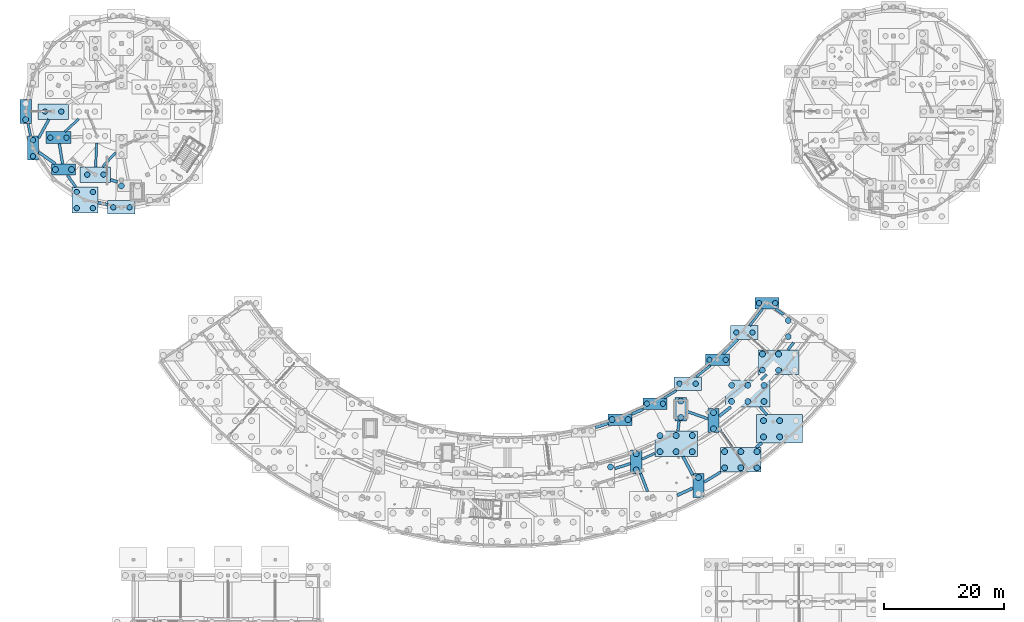
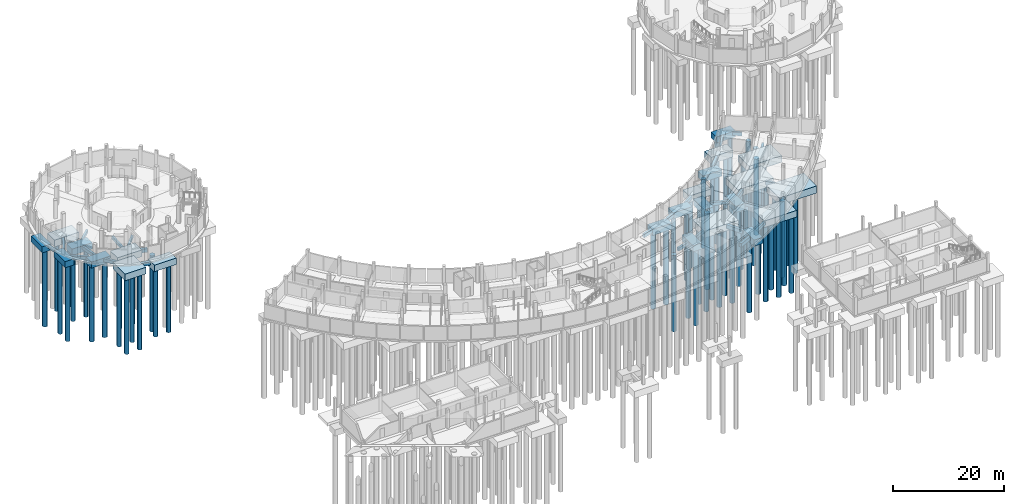
# One storey, part 4 of 58: 66 piles, 54 footings.
"""IFC4 building model written with IfcOpenShell, lengths in metres."""

from ifc_helpers import new_model, si_unit, direction, frame, origin, origin_2d, place, context, subcontext, project, spatial, rectangle, circle, extrude, material, material_profile, profile_set, type_object, element, save


model = new_model("IFC4")

# Units and contexts
model_context = context("Model", 3, precision=1e-05, world=origin(), true_north=direction((0.0, 1.0)))
body_context = subcontext(model_context, "Body", "Model", "MODEL_VIEW")
ifc_project = project(units=[si_unit("LENGTHUNIT", "METRE"), si_unit("AREAUNIT", "SQUARE_METRE"), si_unit("VOLUMEUNIT", "CUBIC_METRE"), si_unit("PLANEANGLEUNIT", "RADIAN"), si_unit("MASSUNIT", "GRAM", prefix="KILO")], contexts=[model_context])

# Site, building, storey
site_placement = place(None, origin())
site = spatial("IfcSite", under=ifc_project, at=site_placement, CompositionType="ELEMENT")
building_placement = place(site_placement, origin())
building = spatial("IfcBuilding", under=site, at=building_placement, Name="Caldaven Crescent School", CompositionType="ELEMENT")
storey_placement = place(building_placement, frame((0.0, 0.0, -4.080078125)))
storey = spatial("IfcBuildingStorey", under=building, at=storey_placement, Name="B1", CompositionType="ELEMENT", Elevation=-4.080078125)

# Footings
ifc_material_1 = material(Name="Concrete C30/37", Category="concrete")
ifc_material_profile_1 = material_profile(ifc_material_1, rectangle(XDim=0.449951171875, YDim=0.699951171875, at=origin_2d()), Name="FB 450x700")
ifc_profile_set_1 = profile_set([ifc_material_profile_1], Name="Concrete C30/37")
footing_type_1 = type_object("IfcFootingType", Name="FTG-FB1", PredefinedType="FOOTING_BEAM", material=ifc_profile_set_1)
footing_1_placement = place(storey_placement, frame((11.3818359375, 97.199951171875, -0.64990234375), z_axis=(-0.483477839389, -0.875356600946, 0.0), x_axis=(0.875356600946, -0.483477839389, 0.0)))
element("IfcFooting", 1, at=footing_1_placement, inside=storey, type_object=footing_type_1, Name="FB-070", PredefinedType="FOOTING_BEAM", context=body_context, shape_type="SweptSolid", body=[
    extrude(rectangle(XDim=0.449951171875, YDim=0.699951171875, at=origin_2d()), origin(), (0.0, 0.0, 1.0), 3.544921875),
])
footing_2_placement = place(storey_placement, frame((13.12646484375, 93.137451171875, -0.64990234375), z_axis=(0.156689000054, -0.987647992588, 0.0), x_axis=(0.987647992588, 0.156689000054, 0.0)))
element("IfcFooting", 2, at=footing_2_placement, inside=storey, type_object=footing_type_1, Name="FB-073", PredefinedType="FOOTING_BEAM", context=body_context, shape_type="SweptSolid", body=[
    extrude(rectangle(XDim=0.449951171875, YDim=0.699951171875, at=origin_2d()), origin(), (0.0, 0.0, 1.0), 3.4169921875),
])
footing_3_placement = place(storey_placement, frame((15.85546875, 85.892822265625, -0.64990234375), z_axis=(-0.573285118671, 0.819355949945, 0.0), x_axis=(-0.819355949945, -0.573285118671, 0.0)))
element("IfcFooting", 3, at=footing_3_placement, inside=storey, type_object=footing_type_1, Name="FB-079", PredefinedType="FOOTING_BEAM", context=body_context, shape_type="SweptSolid", body=[
    extrude(rectangle(XDim=0.449951171875, YDim=0.699951171875, at=origin_2d()), origin(), (0.0, 0.0, 1.0), 2.404052734375),
])
footing_4_placement = place(storey_placement, frame((105.915283203125, 38.85498046875, -0.64990234375), z_axis=(0.953656049612, 0.300898885074, 0.0), x_axis=(-0.300898885074, 0.953656049612, 0.0)))
element("IfcFooting", 4, at=footing_4_placement, inside=storey, type_object=footing_type_1, Name="FB-172", PredefinedType="FOOTING_BEAM", context=body_context, shape_type="SweptSolid", body=[
    extrude(rectangle(XDim=0.449951171875, YDim=0.699951171875, at=origin_2d()), origin(), (0.0, 0.0, 1.0), 2.764404296875),
])
footing_5_placement = place(storey_placement, frame((111.41015625, 35.0146484375, -0.64990234375), z_axis=(-0.35838286224, 0.933574701914, 0.0), x_axis=(-0.933574701914, -0.35838286224, 0.0)))
element("IfcFooting", 5, at=footing_5_placement, inside=storey, type_object=footing_type_1, Name="FB-178", PredefinedType="FOOTING_BEAM", context=body_context, shape_type="SweptSolid", body=[
    extrude(rectangle(XDim=0.449951171875, YDim=0.699951171875, at=origin_2d()), origin(), (0.0, 0.0, 1.0), 3.183349609375),
])
footing_6_placement = place(storey_placement, frame((116.459716796875, 45.173095703125, -0.64990234375), z_axis=(0.134305449479, 0.990939981149, 0.0), x_axis=(-0.990939981149, 0.134305449479, 0.0)))
element("IfcFooting", 6, at=footing_6_placement, inside=storey, type_object=footing_type_1, Name="FB-181", PredefinedType="FOOTING_BEAM", context=body_context, shape_type="SweptSolid", body=[
    extrude(rectangle(XDim=0.449951171875, YDim=0.699951171875, at=origin_2d()), origin(), (0.0, 0.0, 1.0), 1.605224609375),
])
footing_7_placement = place(storey_placement, frame((121.464599609375, 47.18310546875, -0.64990234375), z_axis=(-0.943903657384, 0.330220964776, 0.0), x_axis=(-0.330220964776, -0.943903657384, 0.0)))
element("IfcFooting", 7, at=footing_7_placement, inside=storey, type_object=footing_type_1, Name="FB-184", PredefinedType="FOOTING_BEAM", context=body_context, shape_type="SweptSolid", body=[
    extrude(rectangle(XDim=0.449951171875, YDim=0.699951171875, at=origin_2d()), origin(), (0.0, 0.0, 1.0), 3.7802734375),
])
footing_8_placement = place(storey_placement, frame((123.629150390625, 38.28857421875, -0.64990234375), z_axis=(-0.852649702215, -0.522483000022, 0.0), x_axis=(0.522483000022, -0.852649702215, 0.0)))
element("IfcFooting", 8, at=footing_8_placement, inside=storey, type_object=footing_type_1, Name="FB-187", PredefinedType="FOOTING_BEAM", context=body_context, shape_type="SweptSolid", body=[
    extrude(rectangle(XDim=0.449951171875, YDim=0.699951171875, at=origin_2d()), origin(), (0.0, 0.0, 1.0), 3.2587890625),
])
footing_9_placement = place(storey_placement, frame((131.351318359375, 47.853271484375, -0.64990234375), z_axis=(-0.669102656662, 0.743169990546, 0.0), x_axis=(-0.743169990546, -0.669102656662, 0.0)))
element("IfcFooting", 9, at=footing_9_placement, inside=storey, type_object=footing_type_1, Name="FB-190", PredefinedType="FOOTING_BEAM", context=body_context, shape_type="SweptSolid", body=[
    extrude(rectangle(XDim=0.449951171875, YDim=0.699951171875, at=origin_2d()), origin(), (0.0, 0.0, 1.0), 1.76025390625),
])
footing_10_placement = place(storey_placement, frame((134.8623046875, 58.6865234375, -0.64990234375), z_axis=(0.610422102891, 0.792076294496, 0.0), x_axis=(-0.792076294496, 0.610422102891, 0.0)))
element("IfcFooting", 10, at=footing_10_placement, inside=storey, type_object=footing_type_1, Name="FB-193", PredefinedType="FOOTING_BEAM", context=body_context, shape_type="SweptSolid", body=[
    extrude(rectangle(XDim=0.449951171875, YDim=0.699951171875, at=origin_2d()), origin(), (0.0, 0.0, 1.0), 1.525390625),
])
footing_11_placement = place(storey_placement, frame((132.758544921875, 65.54248046875, -0.64990234375), z_axis=(0.826659501148, -0.562702469482, 0.0), x_axis=(0.562702469482, 0.826659501148, 0.0)))
element("IfcFooting", 11, at=footing_11_placement, inside=storey, type_object=footing_type_1, Name="FB-196", PredefinedType="FOOTING_BEAM", context=body_context, shape_type="SweptSolid", body=[
    extrude(rectangle(XDim=0.449951171875, YDim=0.699951171875, at=origin_2d()), origin(), (0.0, 0.0, 1.0), 1.684326171875),
])
ifc_material_profile_2 = material_profile(ifc_material_1, rectangle(XDim=0.5, YDim=0.800048828125, at=origin_2d()), Name="FB 500x800")
ifc_profile_set_2 = profile_set([ifc_material_profile_2], Name="Concrete C30/37")
footing_type_2 = type_object("IfcFootingType", Name="FTG-FB2", PredefinedType="FOOTING_BEAM", material=ifc_profile_set_2)
footing_12_placement = place(storey_placement, frame((9.66796875, 91.71240234375, -0.699951171875), z_axis=(0.819383644267, -0.573245535096, 0.0), x_axis=(0.573245535096, 0.819383644267, 0.0)))
element("IfcFooting", 12, at=footing_12_placement, inside=storey, type_object=footing_type_2, Name="FB-074", PredefinedType="FOOTING_BEAM", context=body_context, shape_type="SweptSolid", body=[
    extrude(rectangle(XDim=0.5, YDim=0.800048828125, at=origin_2d()), origin(), (0.0, 0.0, 1.0), 3.401123046875),
])
footing_13_placement = place(storey_placement, frame((21.6875, 87.123779296875, -0.699951171875), z_axis=(0.949326847566, -0.314290528795, 0.0), x_axis=(0.314290528795, 0.949326847566, 0.0)))
element("IfcFooting", 13, at=footing_13_placement, inside=storey, type_object=footing_type_2, Name="FB-077", PredefinedType="FOOTING_BEAM", context=body_context, shape_type="SweptSolid", body=[
    extrude(rectangle(XDim=0.5, YDim=0.800048828125, at=origin_2d()), origin(), (0.0, 0.0, 1.0), 1.210205078125),
])
footing_14_placement = place(storey_placement, frame((19.552001953125, 83.285400390625, -0.699951171875), z_axis=(0.980775784306, -0.195138056048, 0.0), x_axis=(0.195138056048, 0.980775784306, 0.0)))
element("IfcFooting", 14, at=footing_14_placement, inside=storey, type_object=footing_type_2, Name="FB-080", PredefinedType="FOOTING_BEAM", context=body_context, shape_type="SweptSolid", body=[
    extrude(rectangle(XDim=0.5, YDim=0.800048828125, at=origin_2d()), origin(), (0.0, 0.0, 1.0), 1.68017578125),
])
footing_15_placement = place(storey_placement, frame((102.688720703125, 45.739013671875, -0.699951171875), z_axis=(0.953664455926, 0.300872241164, 0.0), x_axis=(-0.300872241164, 0.953664455926, 0.0)))
element("IfcFooting", 15, at=footing_15_placement, inside=storey, type_object=footing_type_2, Name="FB-170", PredefinedType="FOOTING_BEAM", context=body_context, shape_type="SweptSolid", body=[
    extrude(rectangle(XDim=0.5, YDim=0.800048828125, at=origin_2d()), origin(), (0.0, 0.0, 1.0), 2.20947265625),
])
footing_16_placement = place(storey_placement, frame((108.7958984375, 47.94580078125, -0.699951171875), z_axis=(0.910054014872, 0.414489674197, 0.0), x_axis=(-0.414489674197, 0.910054014872, 0.0)))
element("IfcFooting", 16, at=footing_16_placement, inside=storey, type_object=footing_type_2, Name="FB-176", PredefinedType="FOOTING_BEAM", context=body_context, shape_type="SweptSolid", body=[
    extrude(rectangle(XDim=0.5, YDim=0.800048828125, at=origin_2d()), origin(), (0.0, 0.0, 1.0), 2.008544921875),
])
footing_17_placement = place(storey_placement, frame((116.3505859375, 34.38671875, -0.699951171875), z_axis=(0.910041370331, 0.414517435444, 0.0), x_axis=(-0.414517435444, 0.910041370331, 0.0)))
element("IfcFooting", 17, at=footing_17_placement, inside=storey, type_object=footing_type_2, Name="FB-179", PredefinedType="FOOTING_BEAM", context=body_context, shape_type="SweptSolid", body=[
    extrude(rectangle(XDim=0.5, YDim=0.800048828125, at=origin_2d()), origin(), (0.0, 0.0, 1.0), 2.857177734375),
])
footing_18_placement = place(storey_placement, frame((118.95068359375, 37.790283203125, -0.699951171875), z_axis=(-0.46947728703, 0.8829445492, 0.0), x_axis=(-0.8829445492, -0.46947728703, 0.0)))
element("IfcFooting", 18, at=footing_18_placement, inside=storey, type_object=footing_type_2, Name="FB-182", PredefinedType="FOOTING_BEAM", context=body_context, shape_type="SweptSolid", body=[
    extrude(rectangle(XDim=0.5, YDim=0.800048828125, at=origin_2d()), origin(), (0.0, 0.0, 1.0), 3.491455078125),
])
footing_19_placement = place(storey_placement, frame((123.364501953125, 47.606689453125, -0.699951171875), z_axis=(0.782620536607, 0.622499072835, 0.0), x_axis=(-0.622499072835, 0.782620536607, 0.0)))
element("IfcFooting", 19, at=footing_19_placement, inside=storey, type_object=footing_type_2, Name="FB-185", PredefinedType="FOOTING_BEAM", context=body_context, shape_type="SweptSolid", body=[
    extrude(rectangle(XDim=0.5, YDim=0.800048828125, at=origin_2d()), origin(), (0.0, 0.0, 1.0), 2.49755859375),
])
footing_20_placement = place(storey_placement, frame((124.029541015625, 57.97216796875, -0.699951171875), z_axis=(0.700904911711, 0.713254726406, 0.0), x_axis=(-0.713254726406, 0.700904911711, 0.0)))
element("IfcFooting", 20, at=footing_20_placement, inside=storey, type_object=footing_type_2, Name="FB-188", PredefinedType="FOOTING_BEAM", context=body_context, shape_type="SweptSolid", body=[
    extrude(rectangle(XDim=0.5, YDim=0.800048828125, at=origin_2d()), origin(), (0.0, 0.0, 1.0), 3.45947265625),
])
footing_21_placement = place(storey_placement, frame((130.51318359375, 43.1533203125, -0.699951171875), z_axis=(-0.782649464343, -0.622462702468, 0.0), x_axis=(0.622462702468, -0.782649464343, 0.0)))
element("IfcFooting", 21, at=footing_21_placement, inside=storey, type_object=footing_type_2, Name="FB-191", PredefinedType="FOOTING_BEAM", context=body_context, shape_type="SweptSolid", body=[
    extrude(rectangle(XDim=0.5, YDim=0.800048828125, at=origin_2d()), origin(), (0.0, 0.0, 1.0), 1.228515625),
])
ifc_material_profile_3 = material_profile(ifc_material_1, rectangle(XDim=0.39990234375, YDim=0.64990234375, at=origin_2d()), Name="FB 400x650")
ifc_profile_set_3 = profile_set([ifc_material_profile_3], Name="Concrete C30/37")
footing_type_3 = type_object("IfcFootingType", Name="FTG-FB3", PredefinedType="FOOTING_BEAM", material=ifc_profile_set_3)
footing_22_placement = place(storey_placement, frame((16.37109375, 97.27490234375, -0.625), z_axis=(-0.735245539754, -0.677800852959, 0.0), x_axis=(0.677800852959, -0.735245539754, 0.0)))
element("IfcFooting", 22, at=footing_22_placement, inside=storey, type_object=footing_type_3, Name="FB-069", PredefinedType="FOOTING_BEAM", context=body_context, shape_type="SweptSolid", body=[
    extrude(rectangle(XDim=0.39990234375, YDim=0.64990234375, at=origin_2d()), origin(), (0.0, 0.0, 1.0), 3.153564453125),
])
footing_23_placement = place(storey_placement, frame((7.897705078125, 96.5, -0.625), z_axis=(0.195139904607, -0.98077541651, 0.0), x_axis=(0.98077541651, 0.195139904607, 0.0)))
element("IfcFooting", 23, at=footing_23_placement, inside=storey, type_object=footing_type_3, Name="FB-072", PredefinedType="FOOTING_BEAM", context=body_context, shape_type="SweptSolid", body=[
    extrude(rectangle(XDim=0.39990234375, YDim=0.64990234375, at=origin_2d()), origin(), (0.0, 0.0, 1.0), 2.164306640625),
])
footing_24_placement = place(storey_placement, frame((19.35205078125, 93.248779296875, -0.625), z_axis=(-0.040626311434, -0.999174410611, 0.0), x_axis=(0.999174410611, -0.040626311434, 0.0)))
element("IfcFooting", 24, at=footing_24_placement, inside=storey, type_object=footing_type_3, Name="FB-075", PredefinedType="FOOTING_BEAM", context=body_context, shape_type="SweptSolid", body=[
    extrude(rectangle(XDim=0.39990234375, YDim=0.64990234375, at=origin_2d()), origin(), (0.0, 0.0, 1.0), 3.984130859375),
])
footing_25_placement = place(storey_placement, frame((20.3359375, 89.267822265625, -0.625), z_axis=(0.677823647569, 0.735224525432, 0.0), x_axis=(-0.735224525432, 0.677823647569, 0.0)))
element("IfcFooting", 25, at=footing_25_placement, inside=storey, type_object=footing_type_3, Name="FB-078", PredefinedType="FOOTING_BEAM", context=body_context, shape_type="SweptSolid", body=[
    extrude(rectangle(XDim=0.39990234375, YDim=0.64990234375, at=origin_2d()), origin(), (0.0, 0.0, 1.0), 3.2666015625),
])
footing_26_placement = place(storey_placement, frame((110.45166015625, 40.419189453125, -0.625), z_axis=(0.910060710207, 0.414474973595, 0.0), x_axis=(-0.414474973595, 0.910060710207, 0.0)))
element("IfcFooting", 26, at=footing_26_placement, inside=storey, type_object=footing_type_3, Name="FB-177", PredefinedType="FOOTING_BEAM", context=body_context, shape_type="SweptSolid", body=[
    extrude(rectangle(XDim=0.39990234375, YDim=0.64990234375, at=origin_2d()), origin(), (0.0, 0.0, 1.0), 2.380859375),
])
footing_27_placement = place(storey_placement, frame((114.174072265625, 50.639404296875, -0.625), z_axis=(0.852640974521, 0.522497242641, 0.0), x_axis=(-0.522497242641, 0.852640974521, 0.0)))
element("IfcFooting", 27, at=footing_27_placement, inside=storey, type_object=footing_type_3, Name="FB-180", PredefinedType="FOOTING_BEAM", context=body_context, shape_type="SweptSolid", body=[
    extrude(rectangle(XDim=0.39990234375, YDim=0.64990234375, at=origin_2d()), origin(), (0.0, 0.0, 1.0), 2.384765625),
])
footing_28_placement = place(storey_placement, frame((119.52978515625, 54.185546875, -0.625), z_axis=(0.782634056668, 0.622482074717, 0.0), x_axis=(-0.622482074717, 0.782634056668, 0.0)))
element("IfcFooting", 28, at=footing_28_placement, inside=storey, type_object=footing_type_3, Name="FB-183", PredefinedType="FOOTING_BEAM", context=body_context, shape_type="SweptSolid", body=[
    extrude(rectangle(XDim=0.39990234375, YDim=0.64990234375, at=origin_2d()), origin(), (0.0, 0.0, 1.0), 3.030517578125),
])
footing_29_placement = place(storey_placement, frame((125.5390625, 42.388671875, -0.625), z_axis=(-0.57359199736, 0.819141148133, 0.0), x_axis=(-0.819141148133, -0.57359199736, 0.0)))
element("IfcFooting", 29, at=footing_29_placement, inside=storey, type_object=footing_type_3, Name="FB-186", PredefinedType="FOOTING_BEAM", context=body_context, shape_type="SweptSolid", body=[
    extrude(rectangle(XDim=0.39990234375, YDim=0.64990234375, at=origin_2d()), origin(), (0.0, 0.0, 1.0), 3.791015625),
])
footing_30_placement = place(storey_placement, frame((130.35888671875, 53.661376953125, -0.625), z_axis=(0.700962892815, 0.713197744596, 0.0), x_axis=(-0.713197744596, 0.700962892815, 0.0)))
element("IfcFooting", 30, at=footing_30_placement, inside=storey, type_object=footing_type_3, Name="FB-189", PredefinedType="FOOTING_BEAM", context=body_context, shape_type="SweptSolid", body=[
    extrude(rectangle(XDim=0.39990234375, YDim=0.64990234375, at=origin_2d()), origin(), (0.0, 0.0, 1.0), 1.297119140625),
])
footing_31_placement = place(storey_placement, frame((128.470703125, 62.73974609375, -0.625), z_axis=(0.610370791205, 0.792115835749, 0.0), x_axis=(-0.792115835749, 0.610370791205, 0.0)))
element("IfcFooting", 31, at=footing_31_placement, inside=storey, type_object=footing_type_3, Name="FB-192", PredefinedType="FOOTING_BEAM", context=body_context, shape_type="SweptSolid", body=[
    extrude(rectangle(XDim=0.39990234375, YDim=0.64990234375, at=origin_2d()), origin(), (0.0, 0.0, 1.0), 3.538330078125),
])
ifc_material_2 = material(Name="Concrete C35/45", Category="concrete")
footing_type_4 = type_object("IfcFootingType", Name="FTG-PC01", PredefinedType="PILE_CAP", material=ifc_material_2)
for number, where, z_axis, x_axis, name in (
    (32, (7.5, 98.5, -1.64990234375), (0.0, 0.0, 1.0), (0.0, 1.0, 0.0), "PC-061"),
    (33, (8.718017578125, 92.377197265625, -1.64990234375), (0.0, 0.0, 1.0), (0.0, 1.0, 0.0), "PC-063"),
    (34, (13.8125, 88.8125, -1.64990234375), (0.0, 0.0, 1.0), (1.0, 0.0, 0.0), "PC-065"),
    (35, (106.7958984375, 47.034912109375, -1.64990234375), (0.0, 0.0, 1.0), (1.0, 0.0, 0.0), "PC-148"),
    (36, (109.501708984375, 39.986572265625, -1.64990234375), (0.0, 0.0, 1.0), (0.0, 1.0, 0.0), "PC-149"),
    (37, (112.623779296875, 49.689453125, -1.64990234375), (0.0, 0.0, 1.0), (1.0, 0.0, 0.0), "PC-151"),
    (38, (119.900634765625, 36.003662109375, -1.64990234375), (0.0, 0.0, 1.0), (0.0, 1.0, 0.0), "PC-153"),
    (39, (122.41455078125, 46.850830078125, -1.64990234375), (0.0, 0.0, 1.0), (0.0, 1.0, 0.0), "PC-155"),
    (40, (123.095947265625, 57.022216796875, -1.64990234375), (0.0, 0.0, 1.0), (1.0, 0.0, 0.0), "PC-157"),
    (41, (131.362548828125, 66.492431640625, -1.64990234375), (0.0, 0.0, 1.0), (1.0, 0.0, 0.0), "PC-163"),
    (42, (116.9462890625, 48.763671875, -1.64990234375), (0.0, 0.0, 1.0), (0.0, 1.0, 0.0), "PC-177"),
):
    element("IfcFooting", number, at=place(storey_placement, frame(where, z_axis=z_axis, x_axis=x_axis)), inside=storey, type_object=footing_type_4, Name=name, PredefinedType="PILE_CAP", context=body_context, shape_type="SweptSolid", body=[
        extrude(rectangle(XDim=4.0, YDim=1.89990234375, at=origin_2d()), origin(), (0.0, 0.0, 1.0), 1.35009765625),
    ])
footing_type_5 = type_object("IfcFootingType", Name="FTG-PC02", PredefinedType="PILE_CAP", material=ifc_material_2)
footing_32_placement = place(storey_placement, frame((12.9677734375, 94.137451171875, -1.699951171875), z_axis=(0.0, 0.0, 1.0), x_axis=(1.0, 0.0, 0.0)))
element("IfcFooting", 43, at=footing_32_placement, inside=storey, type_object=footing_type_5, Name="PC-062", PredefinedType="PILE_CAP", context=body_context, shape_type="SweptSolid", body=[
    extrude(rectangle(XDim=4.199951171875, YDim=2.0, at=origin_2d()), origin(), (0.0, 0.0, 1.0), 1.39990234375),
])
footing_type_6 = type_object("IfcFootingType", Name="FTG-PC04", PredefinedType="PILE_CAP", material=ifc_material_2)
for number, where, z_axis, x_axis, name in (
    (44, (23.5, 82.5, -1.75), (0.0, 0.0, 1.0), (1.0, 0.0, 0.0), "PC-070"),
    (45, (118.083984375, 53.035400390625, -1.75), (0.0, 0.0, 1.0), (1.0, 0.0, 0.0), "PC-154"),
    (46, (127.58447265625, 61.589599609375, -1.75), (0.0, 0.0, 1.0), (1.0, 0.0, 0.0), "PC-160"),
):
    element("IfcFooting", number, at=place(storey_placement, frame(where, z_axis=z_axis, x_axis=x_axis)), inside=storey, type_object=footing_type_6, Name=name, PredefinedType="PILE_CAP", context=body_context, shape_type="SweptSolid", body=[
        extrude(rectangle(XDim=4.60009765625, YDim=2.300048828125, at=origin_2d()), origin(), (0.0, 0.0, 1.0), 1.449951171875),
    ])
footing_type_7 = type_object("IfcFootingType", Name="FTG-PC06", PredefinedType="PILE_CAP", material=ifc_material_2)
for number, where, z_axis, x_axis, name in (
    (47, (12.10009765625, 98.5, -1.7998046875), (0.0, 0.0, 1.0), (1.0, 0.0, 0.0), "PC-060"),
    (48, (19.137451171875, 87.9677734375, -1.7998046875), (0.0, 0.0, 1.0), (1.0, 0.0, 0.0), "PC-066"),
):
    element("IfcFooting", number, at=place(storey_placement, frame(where, z_axis=z_axis, x_axis=x_axis)), inside=storey, type_object=footing_type_7, Name=name, PredefinedType="PILE_CAP", context=body_context, shape_type="SweptSolid", body=[
        extrude(rectangle(XDim=5.10009765625, YDim=2.60009765625, at=origin_2d()), origin(), (0.0, 0.0, 1.0), 1.5),
    ])
footing_type_8 = type_object("IfcFootingType", Name="FTG-PC08", PredefinedType="PILE_CAP", material=ifc_material_2)
footing_33_placement = place(storey_placement, frame((17.377197265625, 83.718017578125, -1.75), z_axis=(0.0, 0.0, 1.0), x_axis=(1.0, 0.0, 0.0)))
element("IfcFooting", 49, at=footing_33_placement, inside=storey, type_object=footing_type_8, Name="PC-067", PredefinedType="PILE_CAP", context=body_context, shape_type="SweptSolid", body=[
    extrude(rectangle(XDim=4.35009765625, YDim=4.35009765625, at=origin_2d()), origin(), (0.0, 0.0, 1.0), 1.449951171875),
])
footing_type_9 = type_object("IfcFootingType", Name="FTG-PC12", PredefinedType="PILE_CAP", material=ifc_material_2)
for number, where, z_axis, x_axis, name in (
    (50, (126.974609375, 40.338623046875, -1.75), (0.0, 0.0, 1.0), (1.0, 0.0, 0.0), "PC-156"),
    (51, (133.28271484375, 56.636474609375, -1.75), (0.0, 0.0, 1.0), (1.0, 0.0, 0.0), "PC-161"),
):
    element("IfcFooting", number, at=place(storey_placement, frame(where, z_axis=z_axis, x_axis=x_axis)), inside=storey, type_object=footing_type_9, Name=name, PredefinedType="PILE_CAP", context=body_context, shape_type="SweptSolid", body=[
        extrude(rectangle(XDim=6.800048828125, YDim=4.10009765625, at=origin_2d()), origin(), (0.0, 0.0, 1.0), 1.449951171875),
    ])
footing_type_10 = type_object("IfcFootingType", Name="FTG-PC13", PredefinedType="PILE_CAP", material=ifc_material_2)
footing_34_placement = place(storey_placement, frame((116.168212890625, 43.023193359375, -1.7998046875), z_axis=(0.0, 0.0, 1.0), x_axis=(1.0, 0.0, 0.0)))
element("IfcFooting", 52, at=footing_34_placement, inside=storey, type_object=footing_type_10, Name="PC-152", PredefinedType="PILE_CAP", context=body_context, shape_type="SweptSolid", body=[
    extrude(rectangle(XDim=7.10009765625, YDim=4.300048828125, at=origin_2d()), origin(), (0.0, 0.0, 1.0), 1.5),
])
footing_type_11 = type_object("IfcFootingType", Name="FTG-PC14", PredefinedType="PILE_CAP", material=ifc_material_2)
footing_35_placement = place(storey_placement, frame((128.147705078125, 51.411376953125, -1.85009765625), z_axis=(0.0, 0.0, 1.0), x_axis=(1.0, 0.0, 0.0)))
element("IfcFooting", 53, at=footing_35_placement, inside=storey, type_object=footing_type_11, Name="PC-158", PredefinedType="PILE_CAP", context=body_context, shape_type="SweptSolid", body=[
    extrude(rectangle(XDim=7.39990234375, YDim=4.5, at=origin_2d()), origin(), (0.0, 0.0, 1.0), 1.550048828125),
])
footing_type_12 = type_object("IfcFootingType", Name="FTG-PC15", PredefinedType="PILE_CAP", material=ifc_material_2)
footing_36_placement = place(storey_placement, frame((133.46728515625, 45.50341796875, -1.85009765625), z_axis=(0.0, 0.0, 1.0), x_axis=(1.0, 0.0, 0.0)))
element("IfcFooting", 54, at=footing_36_placement, inside=storey, type_object=footing_type_12, Name="PC-159", PredefinedType="PILE_CAP", context=body_context, shape_type="SweptSolid", body=[
    extrude(rectangle(XDim=7.699951171875, YDim=4.699951171875, at=origin_2d()), origin(), (0.0, 0.0, 1.0), 1.550048828125),
])

# Piles
ifc_material_profile_4 = material_profile(ifc_material_2, circle(Radius=0.5, at=origin_2d()), Name="PILE D1000")
ifc_profile_set_4 = profile_set([ifc_material_profile_4], Name="Concrete C35/45")
pile_type_1 = type_object("IfcPileType", Name="PIL-D1000", PredefinedType="BORED", material=ifc_profile_set_4)
for number, where, z_axis, x_axis, name in (
    (55, (7.5, 97.14990234375, -1.5498046875), (0.0, 0.0, -1.0), (1.0, 0.0, 0.0), "PILE-061-1"),
    (56, (12.462646484375, 88.8125, -1.5498046875), (0.0, 0.0, -1.0), (1.0, 0.0, 0.0), "PILE-065-1"),
    (57, (15.16259765625, 88.8125, -1.5498046875), (0.0, 0.0, -1.0), (1.0, 0.0, 0.0), "PILE-065-2"),
    (58, (23.486328125, 86.08154296875, -1.5498046875), (0.0, 0.0, -1.0), (1.0, 0.0, 0.0), "PILE-069-1"),
    (59, (105.21533203125, 39.13232421875, -1.64990234375), (0.0, 0.0, -1.0), (1.0, 0.0, 0.0), "PILE-146-6"),
    (60, (105.446044921875, 47.034912109375, -1.5498046875), (0.0, 0.0, -1.0), (1.0, 0.0, 0.0), "PILE-148-1"),
    (61, (108.14599609375, 47.034912109375, -1.5498046875), (0.0, 0.0, -1.0), (1.0, 0.0, 0.0), "PILE-148-2"),
    (62, (109.501708984375, 38.636474609375, -1.5498046875), (0.0, 0.0, -1.0), (1.0, 0.0, 0.0), "PILE-149-1"),
    (63, (109.501708984375, 41.33642578125, -1.5498046875), (0.0, 0.0, -1.0), (1.0, 0.0, 0.0), "PILE-149-2"),
    (64, (113.46826171875, 41.673095703125, -1.699951171875), (0.0, 0.0, -1.0), (1.0, 0.0, 0.0), "PILE-152-1"),
    (65, (116.168212890625, 41.673095703125, -1.699951171875), (0.0, 0.0, -1.0), (1.0, 0.0, 0.0), "PILE-152-2"),
    (66, (118.868408203125, 41.673095703125, -1.699951171875), (0.0, 0.0, -1.0), (1.0, 0.0, 0.0), "PILE-152-3"),
    (67, (113.46826171875, 44.373046875, -1.699951171875), (0.0, 0.0, -1.0), (1.0, 0.0, 0.0), "PILE-152-4"),
    (68, (116.168212890625, 44.373046875, -1.699951171875), (0.0, 0.0, -1.0), (1.0, 0.0, 0.0), "PILE-152-5"),
    (69, (118.868408203125, 44.373046875, -1.699951171875), (0.0, 0.0, -1.0), (1.0, 0.0, 0.0), "PILE-152-6"),
    (70, (119.900634765625, 37.353759765625, -1.5498046875), (0.0, 0.0, -1.0), (1.0, 0.0, 0.0), "PILE-153-2"),
    (71, (122.41455078125, 45.5009765625, -1.5498046875), (0.0, 0.0, -1.0), (1.0, 0.0, 0.0), "PILE-155-1"),
    (72, (122.41455078125, 48.200927734375, -1.5498046875), (0.0, 0.0, -1.0), (1.0, 0.0, 0.0), "PILE-155-2"),
    (73, (124.2744140625, 38.988525390625, -1.64990234375), (0.0, 0.0, -1.0), (1.0, 0.0, 0.0), "PILE-156-1"),
    (74, (126.974609375, 38.988525390625, -1.64990234375), (0.0, 0.0, -1.0), (1.0, 0.0, 0.0), "PILE-156-2"),
    (75, (129.674560546875, 38.988525390625, -1.64990234375), (0.0, 0.0, -1.0), (1.0, 0.0, 0.0), "PILE-156-3"),
    (76, (124.2744140625, 41.688720703125, -1.64990234375), (0.0, 0.0, -1.0), (1.0, 0.0, 0.0), "PILE-156-4"),
    (77, (126.974609375, 41.688720703125, -1.64990234375), (0.0, 0.0, -1.0), (1.0, 0.0, 0.0), "PILE-156-5"),
    (78, (129.674560546875, 41.688720703125, -1.64990234375), (0.0, 0.0, -1.0), (1.0, 0.0, 0.0), "PILE-156-6"),
    (79, (125.44775390625, 50.061279296875, -1.75), (0.0, 0.0, -1.0), (1.0, 0.0, 0.0), "PILE-158-1"),
    (80, (128.147705078125, 50.061279296875, -1.75), (0.0, 0.0, -1.0), (1.0, 0.0, 0.0), "PILE-158-2"),
    (81, (130.847900390625, 50.061279296875, -1.75), (0.0, 0.0, -1.0), (1.0, 0.0, 0.0), "PILE-158-3"),
    (82, (125.44775390625, 52.76123046875, -1.75), (0.0, 0.0, -1.0), (1.0, 0.0, 0.0), "PILE-158-4"),
    (83, (128.147705078125, 52.76123046875, -1.75), (0.0, 0.0, -1.0), (1.0, 0.0, 0.0), "PILE-158-5"),
    (84, (130.847900390625, 52.76123046875, -1.75), (0.0, 0.0, -1.0), (1.0, 0.0, 0.0), "PILE-158-6"),
    (85, (130.767333984375, 44.1533203125, -1.75), (0.0, 0.0, -1.0), (1.0, 0.0, 0.0), "PILE-159-1"),
    (86, (133.46728515625, 44.1533203125, -1.75), (0.0, 0.0, -1.0), (1.0, 0.0, 0.0), "PILE-159-2"),
    (87, (130.767333984375, 46.853271484375, -1.75), (0.0, 0.0, -1.0), (1.0, 0.0, 0.0), "PILE-159-4"),
    (88, (133.46728515625, 46.853271484375, -1.75), (0.0, 0.0, -1.0), (1.0, 0.0, 0.0), "PILE-159-5"),
    (89, (130.58251953125, 55.28662109375, -1.64990234375), (0.0, 0.0, -1.0), (1.0, 0.0, 0.0), "PILE-161-1"),
    (90, (133.28271484375, 55.28662109375, -1.64990234375), (0.0, 0.0, -1.0), (1.0, 0.0, 0.0), "PILE-161-2"),
    (91, (130.58251953125, 57.986572265625, -1.64990234375), (0.0, 0.0, -1.0), (1.0, 0.0, 0.0), "PILE-161-4"),
    (92, (133.28271484375, 57.986572265625, -1.64990234375), (0.0, 0.0, -1.0), (1.0, 0.0, 0.0), "PILE-161-5"),
    (93, (134.904296875, 60.894775390625, -1.75), (0.0, 0.0, -1.0), (1.0, 0.0, 0.0), "PILE-164-1"),
    (94, (134.904296875, 63.5947265625, -1.75), (0.0, 0.0, -1.0), (1.0, 0.0, 0.0), "PILE-164-4"),
    (95, (116.9462890625, 47.413818359375, -1.5498046875), (0.0, 0.0, -1.0), (1.0, 0.0, 0.0), "PILE-177-1"),
    (96, (116.9462890625, 50.11376953125, -1.5498046875), (0.0, 0.0, -1.0), (1.0, 0.0, 0.0), "PILE-177-2"),
):
    element("IfcPile", number, at=place(storey_placement, frame(where, z_axis=z_axis, x_axis=x_axis)), inside=storey, type_object=pile_type_1, Name=name, PredefinedType="BORED", context=body_context, shape_type="SweptSolid", body=[
        extrude(circle(Radius=0.5, at=origin_2d()), origin(), (0.0, 0.0, 1.0), 16.800048828125),
    ])
ifc_material_profile_5 = material_profile(ifc_material_2, circle(Radius=0.449951171875, at=origin_2d()), Name="PILE D900")
ifc_profile_set_5 = profile_set([ifc_material_profile_5], Name="Concrete C35/45")
pile_type_2 = type_object("IfcPileType", Name="PIL-D900", PredefinedType="BORED", material=ifc_profile_set_5)
for number, where, z_axis, x_axis, name in (
    (97, (10.75, 98.5, -1.699951171875), (0.0, 0.0, -1.0), (1.0, 0.0, 0.0), "PILE-060-1"),
    (98, (13.449951171875, 98.5, -1.699951171875), (0.0, 0.0, -1.0), (1.0, 0.0, 0.0), "PILE-060-2"),
    (99, (11.617919921875, 94.137451171875, -1.599853515625), (0.0, 0.0, -1.0), (1.0, 0.0, 0.0), "PILE-062-1"),
    (100, (14.31787109375, 94.137451171875, -1.599853515625), (0.0, 0.0, -1.0), (1.0, 0.0, 0.0), "PILE-062-2"),
):
    element("IfcPile", number, at=place(storey_placement, frame(where, z_axis=z_axis, x_axis=x_axis)), inside=storey, type_object=pile_type_2, Name=name, PredefinedType="BORED", context=body_context, shape_type="SweptSolid", body=[
        extrude(circle(Radius=0.449951171875, at=origin_2d()), origin(), (0.0, 0.0, 1.0), 15.199951171875),
    ])
for number, where, z_axis, x_axis, name in (
    (101, (8.718017578125, 91.027099609375, -1.5498046875), (0.0, 0.0, -1.0), (1.0, 0.0, 0.0), "PILE-063-1"),
    (102, (8.718017578125, 93.72705078125, -1.5498046875), (0.0, 0.0, -1.0), (1.0, 0.0, 0.0), "PILE-063-2"),
):
    element("IfcPile", number, at=place(storey_placement, frame(where, z_axis=z_axis, x_axis=x_axis)), inside=storey, type_object=pile_type_2, Name=name, PredefinedType="BORED", context=body_context, shape_type="SweptSolid", body=[
        extrude(circle(Radius=0.449951171875, at=origin_2d()), origin(), (0.0, 0.0, 1.0), 16.800048828125),
    ])
for number, where, z_axis, x_axis, name in (
    (103, (17.787353515625, 87.9677734375, -1.699951171875), (0.0, 0.0, -1.0), (1.0, 0.0, 0.0), "PILE-066-1"),
    (104, (20.4873046875, 87.9677734375, -1.699951171875), (0.0, 0.0, -1.0), (1.0, 0.0, 0.0), "PILE-066-2"),
):
    element("IfcPile", number, at=place(storey_placement, frame(where, z_axis=z_axis, x_axis=x_axis)), inside=storey, type_object=pile_type_2, Name=name, PredefinedType="BORED", context=body_context, shape_type="SweptSolid", body=[
        extrude(circle(Radius=0.449951171875, at=origin_2d()), origin(), (0.0, 0.0, 1.0), 15.199951171875),
    ])
for number, where, z_axis, x_axis, name in (
    (105, (16.027099609375, 82.367919921875, -1.64990234375), (0.0, 0.0, -1.0), (1.0, 0.0, 0.0), "PILE-067-1"),
    (106, (18.72705078125, 82.367919921875, -1.64990234375), (0.0, 0.0, -1.0), (1.0, 0.0, 0.0), "PILE-067-2"),
    (107, (16.027099609375, 85.06787109375, -1.64990234375), (0.0, 0.0, -1.0), (1.0, 0.0, 0.0), "PILE-067-3"),
    (108, (18.72705078125, 85.06787109375, -1.64990234375), (0.0, 0.0, -1.0), (1.0, 0.0, 0.0), "PILE-067-4"),
):
    element("IfcPile", number, at=place(storey_placement, frame(where, z_axis=z_axis, x_axis=x_axis)), inside=storey, type_object=pile_type_2, Name=name, PredefinedType="BORED", context=body_context, shape_type="SweptSolid", body=[
        extrude(circle(Radius=0.449951171875, at=origin_2d()), origin(), (0.0, 0.0, 1.0), 16.800048828125),
    ])
for number, where, z_axis, x_axis, name in (
    (109, (22.14990234375, 82.5, -1.64990234375), (0.0, 0.0, -1.0), (1.0, 0.0, 0.0), "PILE-070-1"),
    (110, (24.85009765625, 82.5, -1.64990234375), (0.0, 0.0, -1.0), (1.0, 0.0, 0.0), "PILE-070-2"),
    (111, (111.273681640625, 49.689453125, -1.5498046875), (0.0, 0.0, -1.0), (1.0, 0.0, 0.0), "PILE-151-1"),
    (112, (113.973876953125, 49.689453125, -1.5498046875), (0.0, 0.0, -1.0), (1.0, 0.0, 0.0), "PILE-151-2"),
    (113, (116.734130859375, 53.035400390625, -1.64990234375), (0.0, 0.0, -1.0), (1.0, 0.0, 0.0), "PILE-154-1"),
    (114, (119.43408203125, 53.035400390625, -1.64990234375), (0.0, 0.0, -1.0), (1.0, 0.0, 0.0), "PILE-154-2"),
    (115, (121.745849609375, 57.022216796875, -1.5498046875), (0.0, 0.0, -1.0), (1.0, 0.0, 0.0), "PILE-157-1"),
    (116, (124.44580078125, 57.022216796875, -1.5498046875), (0.0, 0.0, -1.0), (1.0, 0.0, 0.0), "PILE-157-2"),
    (117, (126.234619140625, 61.589599609375, -1.64990234375), (0.0, 0.0, -1.0), (1.0, 0.0, 0.0), "PILE-160-1"),
    (118, (128.9345703125, 61.589599609375, -1.64990234375), (0.0, 0.0, -1.0), (1.0, 0.0, 0.0), "PILE-160-2"),
    (119, (130.012451171875, 66.492431640625, -1.5498046875), (0.0, 0.0, -1.0), (1.0, 0.0, 0.0), "PILE-163-1"),
    (120, (132.71240234375, 66.492431640625, -1.5498046875), (0.0, 0.0, -1.0), (1.0, 0.0, 0.0), "PILE-163-2"),
):
    element("IfcPile", number, at=place(storey_placement, frame(where, z_axis=z_axis, x_axis=x_axis)), inside=storey, type_object=pile_type_2, Name=name, PredefinedType="BORED", context=body_context, shape_type="SweptSolid", body=[
        extrude(circle(Radius=0.449951171875, at=origin_2d()), origin(), (0.0, 0.0, 1.0), 15.199951171875),
    ])

save(model, "model.ifc")
